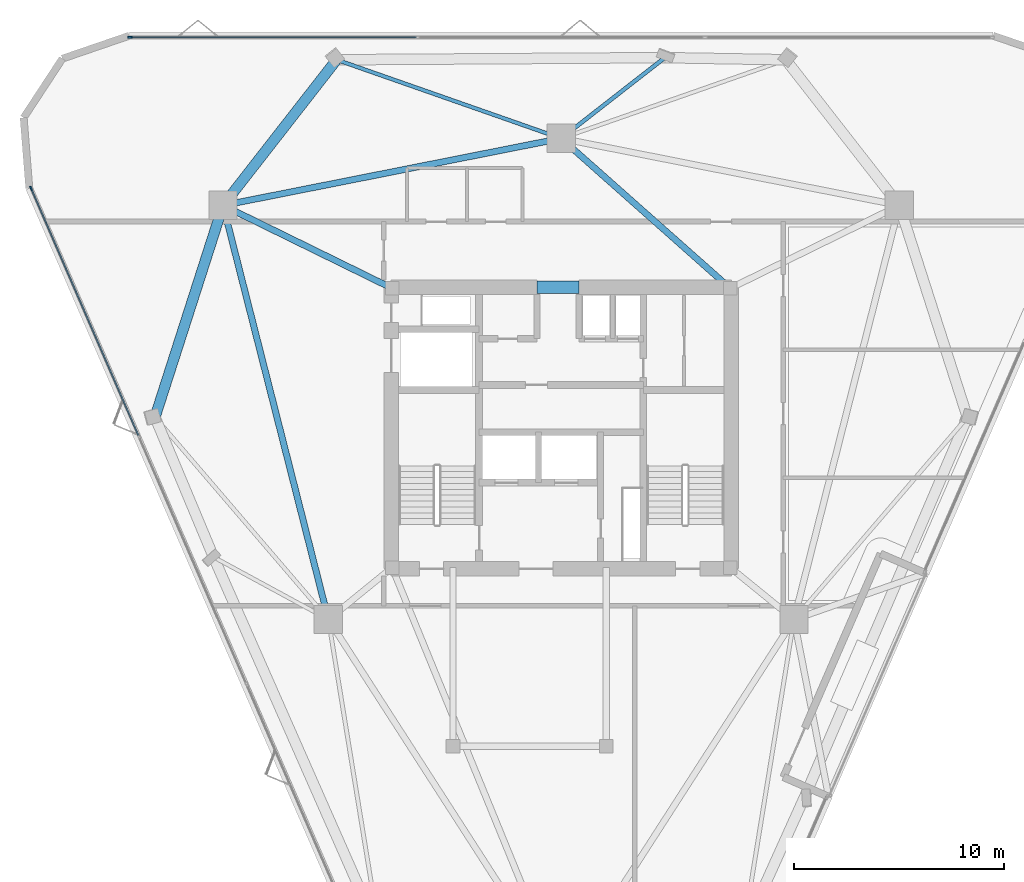
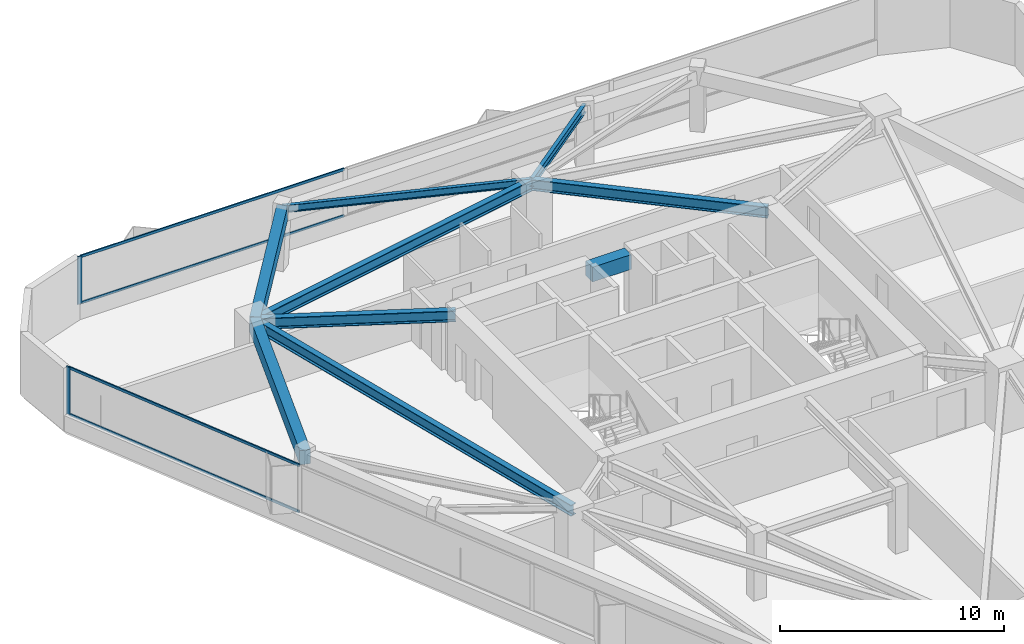
# One storey, part 4 of 11: 9 beams, 6 members, 2 elements without a shape of their own.
"""IFC4 building model written with IfcOpenShell, lengths in metres."""

from ifc_helpers import new_model, si_unit, direction, frame, origin, origin_2d, place, context, subcontext, project, spatial, rectangle, i_section, extrude, material, layer, layer_set, material_profile, profile_set, type_object, element, aggregate, save


model = new_model("IFC4")

# Units and contexts
model_context = context("Model", 3, precision=1e-05, world=origin(), true_north=direction((0.0, 1.0)))
body_context = subcontext(model_context, "Body", "Model", "MODEL_VIEW")
ifc_project = project(units=[si_unit("LENGTHUNIT", "METRE"), si_unit("AREAUNIT", "SQUARE_METRE"), si_unit("VOLUMEUNIT", "CUBIC_METRE"), si_unit("PLANEANGLEUNIT", "RADIAN"), si_unit("MASSUNIT", "GRAM", prefix="KILO")], contexts=[model_context])

# Site, building, storey
site_placement = place(None, origin())
site = spatial("IfcSite", under=ifc_project, at=site_placement, CompositionType="ELEMENT")
building_placement = place(site_placement, origin())
building = spatial("IfcBuilding", under=site, at=building_placement, Name="Talyreon Biosciences Tower", CompositionType="ELEMENT")
storey_placement = place(building_placement, frame((0.0, 0.0, 201.300048828125)))
storey = spatial("IfcBuildingStorey", under=building, at=storey_placement, Name="L53", CompositionType="ELEMENT", Elevation=201.300048828125)

# Curtain wall, member
ifc_material_1 = material(Name="Thermally broken aluminium and low-E glazing", Category="aluminium")
ifc_layer = layer(ifc_material_1, 0.205078125)
ifc_layer_set = layer_set([ifc_layer], Name="Thermally broken aluminium and low-E glazing")
curtain_wall_type = type_object("IfcCurtainWallType", Name="CurtainWall_SkyGardenLoggia", PredefinedType="NOTDEFINED", material=ifc_layer_set)
curtain_wall_1_placement = place(storey_placement, origin())
curtain_wall_1 = element("IfcCurtainWall", 1, at=curtain_wall_1_placement, inside=storey, type_object=curtain_wall_type, Name="L53 Unitised Curtain Wall FCW-L53-03", PredefinedType="NOTDEFINED")
ifc_material_2 = material(Name="Anodised thermally broken aluminium", Category="aluminium")
ifc_material_profile_1 = material_profile(ifc_material_2, rectangle(XDim=0.074951171875, YDim=0.2099609375, at=origin_2d()), Name="ALUM MULLION 75x210")
ifc_profile_set_1 = profile_set([ifc_material_profile_1], Name="Anodised thermally broken aluminium")
member_type_1 = type_object("IfcMemberType", Name="CWMullion_75x210", PredefinedType="MULLION", material=ifc_profile_set_1)
member_1_placement = place(storey_placement, frame((45.47216796875, 86.605224609375, 0.81005859375), z_axis=(0.0, 0.0, 1.0), x_axis=(0.0, 1.0, 0.0)))
member_1 = element("IfcMember", 2, at=member_1_placement, type_object=member_type_1, Name="CW7 mullion 1", PredefinedType="MULLION", context=body_context, shape_type="SweptSolid", body=[
    extrude(rectangle(XDim=0.074951171875, YDim=0.2099609375, at=origin_2d()), origin(), (0.0, 0.0, 1.0), 2.58984375),
])

curtain_wall_2_placement = place(storey_placement, origin())
curtain_wall_2 = element("IfcCurtainWall", 3, at=curtain_wall_2_placement, inside=storey, type_object=curtain_wall_type, Name="L53 Unitised Curtain Wall FCW-L53-15", PredefinedType="NOTDEFINED")
member_2_placement = place(storey_placement, frame((40.75390625, 79.409912109375, 0.81005859375), z_axis=(0.0, 0.0, 1.0), x_axis=(-0.917113439943, -0.398626314079, 0.0)))
member_2 = element("IfcMember", 4, at=member_2_placement, type_object=member_type_1, Name="CW7 mullion 5", PredefinedType="MULLION", context=body_context, shape_type="SweptSolid", body=[
    extrude(rectangle(XDim=0.074951171875, YDim=0.2099609375, at=origin_2d()), origin(), (0.0, 0.0, 1.0), 2.58984375),
])

# Member
ifc_material_profile_2 = material_profile(ifc_material_2, rectangle(XDim=0.06494140625, YDim=0.139892578125, at=origin_2d()), Name="ALUM TRANSOM 65x140")
ifc_profile_set_2 = profile_set([ifc_material_profile_2], Name="Anodised thermally broken aluminium")
member_type_2 = type_object("IfcMemberType", Name="CWTransom_65x140", PredefinedType="USERDEFINED", material=ifc_profile_set_2)
member_3_placement = place(storey_placement, frame((45.509521484375, 86.605224609375, 0.842529296875), z_axis=(1.0, 0.0, 0.0), x_axis=(0.0, 1.0, 0.0)))
member_3 = element("IfcMember", 5, at=member_3_placement, type_object=member_type_2, Name="CW7 transom 1.1", ObjectType="TRANSOM", PredefinedType="USERDEFINED", context=body_context, shape_type="SweptSolid", body=[
    extrude(rectangle(XDim=0.06494140625, YDim=0.139892578125, at=origin_2d()), origin(), (0.0, 0.0, 1.0), 13.597900390625),
])

member_4_placement = place(storey_placement, frame((45.509521484375, 86.605224609375, 3.367431640625), z_axis=(1.0, 0.0, 0.0), x_axis=(0.0, 1.0, 0.0)))
member_4 = element("IfcMember", 6, at=member_4_placement, type_object=member_type_2, Name="CW7 transom 1.2", ObjectType="TRANSOM", PredefinedType="USERDEFINED", context=body_context, shape_type="SweptSolid", body=[
    extrude(rectangle(XDim=0.06494140625, YDim=0.139892578125, at=origin_2d()), origin(), (0.0, 0.0, 1.0), 13.597900390625),
])

aggregate(curtain_wall_1, [member_1, member_3, member_4])

member_5_placement = place(storey_placement, frame((45.865478515625, 67.650146484375, 0.842529296875), z_axis=(-0.39864092303, 0.917107089977, 0.0), x_axis=(-0.917107089977, -0.39864092303, 0.0)))
member_5 = element("IfcMember", 7, at=member_5_placement, type_object=member_type_2, Name="CW7 transom 4.1", ObjectType="TRANSOM", PredefinedType="USERDEFINED", context=body_context, shape_type="SweptSolid", body=[
    extrude(rectangle(XDim=0.06494140625, YDim=0.139892578125, at=origin_2d()), origin(), (0.0, 0.0, 1.0), 12.78515625),
])

member_6_placement = place(storey_placement, frame((45.865478515625, 67.650146484375, 3.367431640625), z_axis=(-0.39864092303, 0.917107089977, 0.0), x_axis=(-0.917107089977, -0.39864092303, 0.0)))
member_6 = element("IfcMember", 8, at=member_6_placement, type_object=member_type_2, Name="CW7 transom 4.2", ObjectType="TRANSOM", PredefinedType="USERDEFINED", context=body_context, shape_type="SweptSolid", body=[
    extrude(rectangle(XDim=0.06494140625, YDim=0.139892578125, at=origin_2d()), origin(), (0.0, 0.0, 1.0), 12.78515625),
])

aggregate(curtain_wall_2, [member_2, member_5, member_6])

# Beams
ifc_material_3 = material(Name="Concrete C50/60", Category="concrete")
ifc_material_profile_3 = material_profile(ifc_material_3, rectangle(XDim=0.60009765625, YDim=0.800048828125, at=origin_2d()), Name="RCB 600x800")
ifc_profile_set_3 = profile_set([ifc_material_profile_3], Name="Concrete C50/60")
beam_type_1 = type_object("IfcBeamType", Name="CoreCouplingLintel_600x800", PredefinedType="LINTEL", material=ifc_profile_set_3)
beam_1_placement = place(storey_placement, frame((64.85009765625, 74.699951171875, 3.0), z_axis=(1.0, 0.0, 0.0), x_axis=(0.0, 1.0, 0.0)))
element("IfcBeam", 9, at=beam_1_placement, inside=storey, type_object=beam_type_1, Name="L53 Core Coupling Lintel", PredefinedType="LINTEL", context=body_context, shape_type="SweptSolid", body=[
    extrude(rectangle(XDim=0.60009765625, YDim=0.800048828125, at=origin_2d()), origin(), (0.0, 0.0, 1.0), 2.0),
])
ifc_material_4 = material(Name="Precast concrete C45/55", Category="concrete")
ifc_material_profile_4 = material_profile(ifc_material_4, rectangle(XDim=0.5, YDim=0.780029296875, at=origin_2d()), Name="RCB 500x780")
ifc_profile_set_4 = profile_set([ifc_material_profile_4], Name="Precast concrete C45/55")
beam_type_2 = type_object("IfcBeamType", Name="ExpressedSpandrel_500x780", PredefinedType="SPANDREL", material=ifc_profile_set_4)
beam_2_placement = place(storey_placement, frame((55.305908203125, 85.53515625, 3.010009765625), z_axis=(-0.614870256111, -0.788628282621, 0.0), x_axis=(0.788628282621, -0.614870256111, 0.0)))
element("IfcBeam", 10, at=beam_2_placement, inside=storey, type_object=beam_type_2, Name="L53 Expressed Horizontal Concrete Spandrel 08", PredefinedType="SPANDREL", context=body_context, shape_type="SweptSolid", body=[
    extrude(rectangle(XDim=0.5, YDim=0.780029296875, at=origin_2d()), origin(), (0.0, 0.0, 1.0), 8.795654296875),
])
beam_3_placement = place(storey_placement, frame((49.897705078125, 78.5986328125, 3.010009765625), z_axis=(-0.306058424481, -0.95201273143, 0.0), x_axis=(0.95201273143, -0.306058424481, 0.0)))
element("IfcBeam", 11, at=beam_3_placement, inside=storey, type_object=beam_type_2, Name="L53 Expressed Horizontal Concrete Spandrel 09", PredefinedType="SPANDREL", context=body_context, shape_type="SweptSolid", body=[
    extrude(rectangle(XDim=0.5, YDim=0.780029296875, at=origin_2d()), origin(), (0.0, 0.0, 1.0), 10.591796875),
])
ifc_material_5 = material(Name="Steel SM355", Category="steel")
ifc_material_profile_5 = material_profile(ifc_material_5, i_section(OverallWidth=0.300048828125, OverallDepth=0.60009765625, WebThickness=0.015380859375, FlangeThickness=0.030029296875, FilletRadius=0.027099609375, at=origin_2d()), Name="HE600B")
ifc_profile_set_5 = profile_set([ifc_material_profile_5], Name="Steel SM355")
beam_type_3 = type_object("IfcBeamType", Name="SteelBeam_HE600B", PredefinedType="BEAM", material=ifc_profile_set_5)
beam_4_placement = place(storey_placement, frame((66.0, 81.788818359375, 3.099853515625), z_axis=(-0.980933730698, -0.194342522311, 0.0), x_axis=(0.194342522311, -0.980933730698, 0.0)))
element("IfcBeam", 12, at=beam_4_placement, inside=storey, type_object=beam_type_3, Name="L53 Mega-Ring Girder 4", PredefinedType="BEAM", context=body_context, shape_type="SweptSolid", body=[
    extrude(i_section(OverallWidth=0.300048828125, OverallDepth=0.60009765625, WebThickness=0.015380859375, FlangeThickness=0.030029296875, FilletRadius=0.027099609375, at=origin_2d()), origin(), (0.0, 0.0, 1.0), 16.415283203125),
])
beam_5_placement = place(storey_placement, frame((49.897705078125, 78.5986328125, 3.099853515625), z_axis=(0.246537082299, -0.969133358755, 0.0), x_axis=(0.969133358755, 0.246537082299, 0.0)))
element("IfcBeam", 13, at=beam_5_placement, inside=storey, type_object=beam_type_3, Name="L53 Mega-Ring Girder 5", PredefinedType="BEAM", context=body_context, shape_type="SweptSolid", body=[
    extrude(i_section(OverallWidth=0.300048828125, OverallDepth=0.60009765625, WebThickness=0.015380859375, FlangeThickness=0.030029296875, FilletRadius=0.027099609375, at=origin_2d()), origin(), (0.0, 0.0, 1.0), 20.34619140625),
])
beam_6_placement = place(storey_placement, frame((74.050048828125, 74.64990234375, 3.099853515625), z_axis=(-0.748178733955, 0.663497235908, 0.0), x_axis=(-0.663497235908, -0.748178733955, 0.0)))
element("IfcBeam", 14, at=beam_6_placement, inside=storey, type_object=beam_type_3, Name="L53 Radial Primary Girder 4", PredefinedType="BEAM", context=body_context, shape_type="SweptSolid", body=[
    extrude(i_section(OverallWidth=0.300048828125, OverallDepth=0.60009765625, WebThickness=0.015380859375, FlangeThickness=0.030029296875, FilletRadius=0.027099609375, at=origin_2d()), origin(), (0.0, 0.0, 1.0), 10.759521484375),
])
beam_7_placement = place(storey_placement, frame((57.949951171875, 74.64990234375, 3.099853515625), z_axis=(-0.897852360314, 0.440296648952, 0.0), x_axis=(-0.440296648952, -0.897852360314, 0.0)))
element("IfcBeam", 15, at=beam_7_placement, inside=storey, type_object=beam_type_3, Name="L53 Radial Primary Girder 5", PredefinedType="BEAM", context=body_context, shape_type="SweptSolid", body=[
    extrude(i_section(OverallWidth=0.300048828125, OverallDepth=0.60009765625, WebThickness=0.015380859375, FlangeThickness=0.030029296875, FilletRadius=0.027099609375, at=origin_2d()), origin(), (0.0, 0.0, 1.0), 8.96826171875),
])
ifc_material_profile_6 = material_profile(ifc_material_5, i_section(OverallWidth=0.179931640625, OverallDepth=0.39990234375, WebThickness=0.008544921875, FlangeThickness=0.013427734375, FilletRadius=0.02099609375, at=origin_2d()), Name="IPE400")
ifc_profile_set_6 = profile_set([ifc_material_profile_6], Name="Steel SM355")
beam_type_4 = type_object("IfcBeamType", Name="SteelJoist_IPE400", PredefinedType="JOIST", material=ifc_profile_set_6)
beam_8_placement = place(storey_placement, frame((66.0, 81.788818359375, 3.199951171875), z_axis=(-0.943764601957, 0.33061817266, 0.0), x_axis=(-0.33061817266, -0.943764601957, 0.0)))
element("IfcBeam", 16, at=beam_8_placement, inside=storey, type_object=beam_type_4, Name="L53 Radial Composite Floor Joist PC-N2", PredefinedType="JOIST", context=body_context, shape_type="SweptSolid", body=[
    extrude(i_section(OverallWidth=0.179931640625, OverallDepth=0.39990234375, WebThickness=0.008544921875, FlangeThickness=0.013427734375, FilletRadius=0.02099609375, at=origin_2d()), origin(), (0.0, 0.0, 1.0), 11.331298828125),
])
ifc_material_profile_7 = material_profile(ifc_material_5, i_section(OverallWidth=0.18994140625, OverallDepth=0.449951171875, WebThickness=0.009521484375, FlangeThickness=0.0146484375, FilletRadius=0.02099609375, at=origin_2d()), Name="IPE450")
ifc_profile_set_7 = profile_set([ifc_material_profile_7], Name="Steel SM355")
beam_type_5 = type_object("IfcBeamType", Name="SteelJoist_IPE450", PredefinedType="JOIST", material=ifc_profile_set_7)
beam_9_placement = place(storey_placement, frame((66.0, 81.788818359375, 3.175048828125), z_axis=(0.788772038167, 0.614685831791, 0.0), x_axis=(-0.614685831791, 0.788772038167, 0.0)))
element("IfcBeam", 17, at=beam_9_placement, inside=storey, type_object=beam_type_5, Name="L53 Radial Composite Floor Joist PL-N", PredefinedType="JOIST", context=body_context, shape_type="SweptSolid", body=[
    extrude(i_section(OverallWidth=0.18994140625, OverallDepth=0.449951171875, WebThickness=0.009521484375, FlangeThickness=0.0146484375, FilletRadius=0.02099609375, at=origin_2d()), origin(), (0.0, 0.0, 1.0), 6.257568359375),
])

save(model, "model.ifc")
